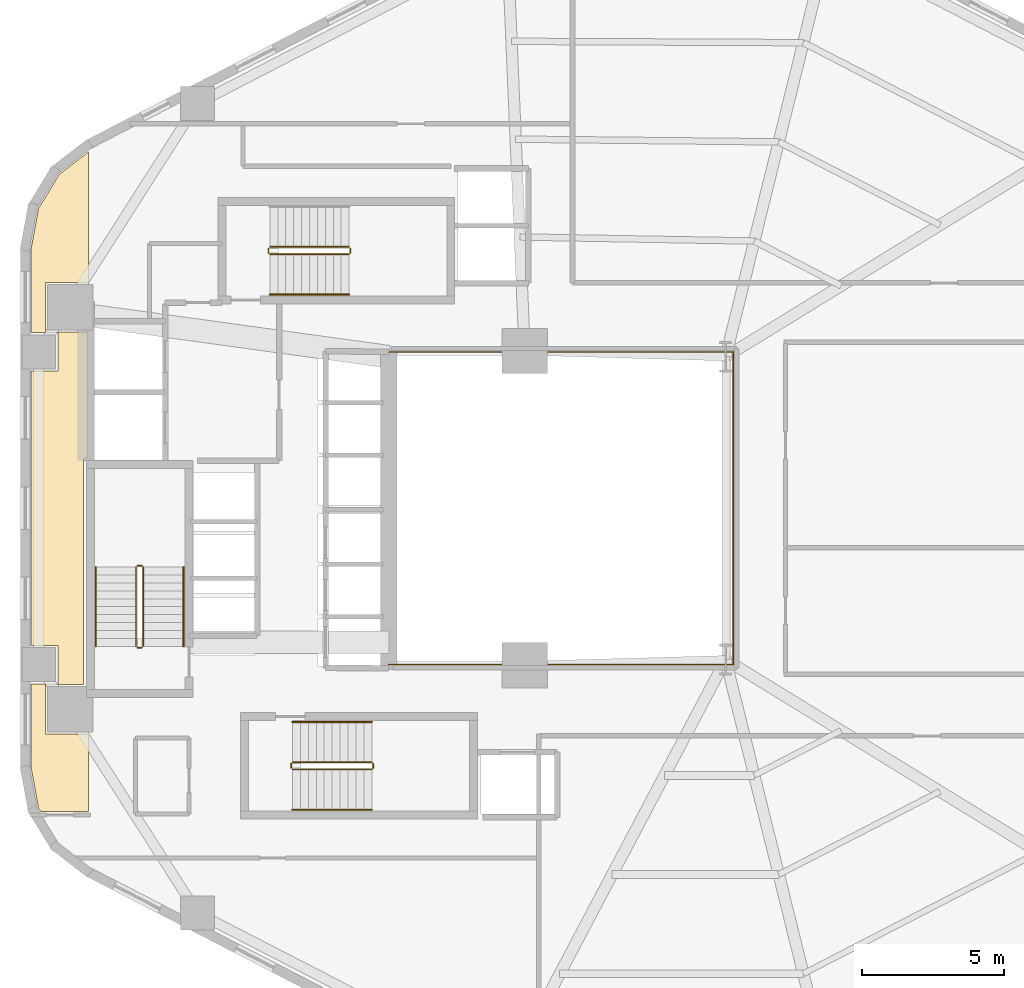
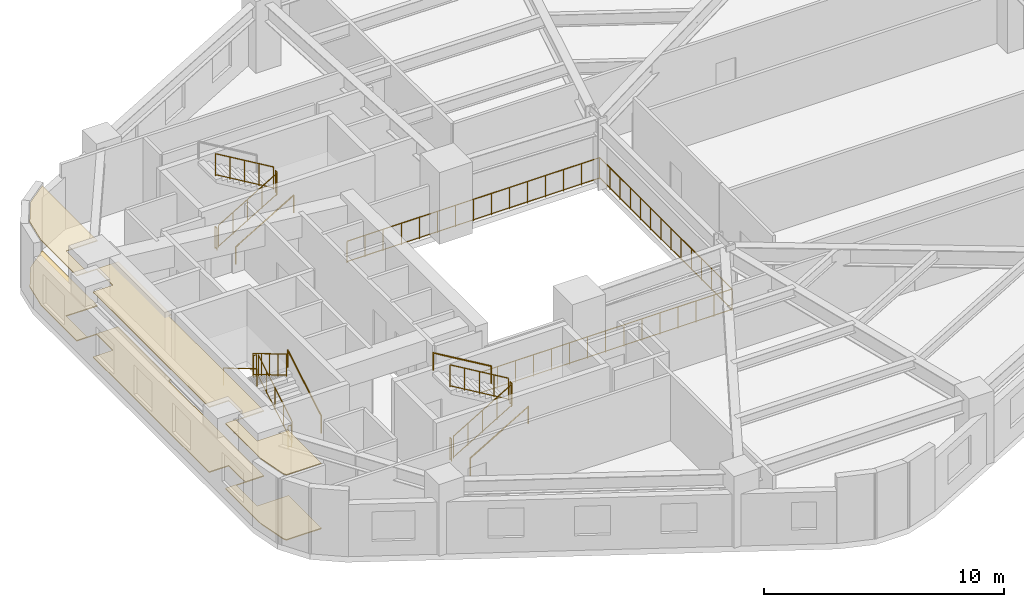
# One storey, part 9 of 10: 18 railings, 2 coverings.
"""IFC4 building model written with IfcOpenShell, lengths in metres."""

from ifc_helpers import new_model, si_unit, direction, frame, origin, origin_2d, place, context, subcontext, project, spatial, polyline, circle, outline, extrude, material, layer, layer_set, type_object, element, save


model = new_model("IFC4")

# Units and contexts
model_context = context("Model", 3, precision=1e-05, world=origin(), true_north=direction((0.0, 1.0)))
body_context = subcontext(model_context, "Body", "Model", "MODEL_VIEW")
ifc_project = project(units=[si_unit("LENGTHUNIT", "METRE"), si_unit("AREAUNIT", "SQUARE_METRE"), si_unit("VOLUMEUNIT", "CUBIC_METRE"), si_unit("PLANEANGLEUNIT", "RADIAN"), si_unit("MASSUNIT", "GRAM", prefix="KILO"), si_unit("THERMODYNAMICTEMPERATUREUNIT", "KELVIN"), si_unit("POWERUNIT", "WATT")], contexts=[model_context])

# Site, building, storey
site_placement = place(None, origin())
site = spatial("IfcSite", under=ifc_project, at=site_placement, CompositionType="ELEMENT")
building_placement = place(site_placement, origin())
building = spatial("IfcBuilding", under=site, at=building_placement, Name="Skarre Station Tower", CompositionType="ELEMENT")
storey_placement = place(building_placement, frame((0.0, 0.0, 56.199951171875)))
storey = spatial("IfcBuildingStorey", under=building, at=storey_placement, Name="L14", CompositionType="ELEMENT", Elevation=56.199951171875)

# Railing
ifc_material_1 = material(Name="Bronze Anodized Steel & Laminated Glass Balustrade", Category="steel")
railing_type_1 = type_object("IfcRailingType", Name="Atrium Void & Mezzanine Guard Balustrade 1120", PredefinedType="GUARDRAIL", material=ifc_material_1)
railing_1_placement = place(storey_placement, frame((27.550048828125, 18.47998046875, 0.0)))
element("IfcRailing", 1, at=railing_1_placement, inside=storey, type_object=railing_type_1, Name="L14 Atrium Void Guard Balustrade", PredefinedType="GUARDRAIL", context=body_context, shape_type="SweptSolid", body=[
    extrude(circle(Radius=0.02392578125, at=origin_2d()), frame((0.0, 0.0, 1.09619140625), z_axis=(1.0, 0.0, 0.0), x_axis=(0.0, 1.0, 0.0)), (0.0, 0.0, 1.0), 12.169921875),
    extrude(circle(Radius=0.02099609375, at=origin_2d()), frame((0.0, 0.0, 0.06005859375), z_axis=(1.0, 0.0, 0.0), x_axis=(0.0, 1.0, 0.0)), (0.0, 0.0, 1.0), 12.169921875),
    extrude(circle(Radius=0.02392578125, at=origin_2d()), frame((12.169921875, 0.0, 1.09619140625), z_axis=(0.0, 1.0, 0.0), x_axis=(-1.0, 0.0, 0.0)), (0.0, 0.0, 1.0), 11.0400390625),
    extrude(circle(Radius=0.02099609375, at=origin_2d()), frame((12.169921875, 0.0, 0.06005859375), z_axis=(0.0, 1.0, 0.0), x_axis=(-1.0, 0.0, 0.0)), (0.0, 0.0, 1.0), 11.0400390625),
    extrude(circle(Radius=0.02392578125, at=origin_2d()), frame((12.169921875, 11.0400390625, 1.09619140625), z_axis=(-1.0, 0.0, 0.0), x_axis=(0.0, -1.0, 0.0)), (0.0, 0.0, 1.0), 12.169921875),
    extrude(circle(Radius=0.02099609375, at=origin_2d()), frame((12.169921875, 11.0400390625, 0.06005859375), z_axis=(-1.0, 0.0, 0.0), x_axis=(0.0, -1.0, 0.0)), (0.0, 0.0, 1.0), 12.169921875),
    extrude(circle(Radius=0.02099609375, at=origin_2d()), origin(), (0.0, 0.0, 1.0), 1.072021484375),
    extrude(circle(Radius=0.02099609375, at=origin_2d()), frame((0.869384765625, 0.0, 0.0)), (0.0, 0.0, 1.0), 1.072021484375),
    extrude(circle(Radius=0.02099609375, at=origin_2d()), frame((1.738525390625, 0.0, 0.0)), (0.0, 0.0, 1.0), 1.072021484375),
    extrude(circle(Radius=0.02099609375, at=origin_2d()), frame((2.60791015625, 0.0, 0.0)), (0.0, 0.0, 1.0), 1.072021484375),
    extrude(circle(Radius=0.02099609375, at=origin_2d()), frame((3.47705078125, 0.0, 0.0)), (0.0, 0.0, 1.0), 1.072021484375),
    extrude(circle(Radius=0.02099609375, at=origin_2d()), frame((4.346435546875, 0.0, 0.0)), (0.0, 0.0, 1.0), 1.072021484375),
    extrude(circle(Radius=0.02099609375, at=origin_2d()), frame((5.215576171875, 0.0, 0.0)), (0.0, 0.0, 1.0), 1.072021484375),
    extrude(circle(Radius=0.02099609375, at=origin_2d()), frame((6.0849609375, 0.0, 0.0)), (0.0, 0.0, 1.0), 1.072021484375),
    extrude(circle(Radius=0.02099609375, at=origin_2d()), frame((6.954345703125, 0.0, 0.0)), (0.0, 0.0, 1.0), 1.072021484375),
    extrude(circle(Radius=0.02099609375, at=origin_2d()), frame((7.823486328125, 0.0, 0.0)), (0.0, 0.0, 1.0), 1.072021484375),
    extrude(circle(Radius=0.02099609375, at=origin_2d()), frame((8.69287109375, 0.0, 0.0)), (0.0, 0.0, 1.0), 1.072021484375),
    extrude(circle(Radius=0.02099609375, at=origin_2d()), frame((9.56201171875, 0.0, 0.0)), (0.0, 0.0, 1.0), 1.072021484375),
    extrude(circle(Radius=0.02099609375, at=origin_2d()), frame((10.431396484375, 0.0, 0.0)), (0.0, 0.0, 1.0), 1.072021484375),
    extrude(circle(Radius=0.02099609375, at=origin_2d()), frame((11.300537109375, 0.0, 0.0)), (0.0, 0.0, 1.0), 1.072021484375),
    extrude(circle(Radius=0.02099609375, at=origin_2d()), frame((12.169921875, 0.0, 0.0)), (0.0, 0.0, 1.0), 1.072021484375),
    extrude(circle(Radius=0.02099609375, at=origin_2d()), frame((12.169921875, 0.84912109375, 0.0)), (0.0, 0.0, 1.0), 1.072021484375),
    extrude(circle(Radius=0.02099609375, at=origin_2d()), frame((12.169921875, 1.698486328125, 0.0)), (0.0, 0.0, 1.0), 1.072021484375),
    extrude(circle(Radius=0.02099609375, at=origin_2d()), frame((12.169921875, 2.547607421875, 0.0)), (0.0, 0.0, 1.0), 1.072021484375),
    extrude(circle(Radius=0.02099609375, at=origin_2d()), frame((12.169921875, 3.39697265625, 0.0)), (0.0, 0.0, 1.0), 1.072021484375),
    extrude(circle(Radius=0.02099609375, at=origin_2d()), frame((12.169921875, 4.24609375, 0.0)), (0.0, 0.0, 1.0), 1.072021484375),
    extrude(circle(Radius=0.02099609375, at=origin_2d()), frame((12.169921875, 5.095458984375, 0.0)), (0.0, 0.0, 1.0), 1.072021484375),
    extrude(circle(Radius=0.02099609375, at=origin_2d()), frame((12.169921875, 5.944580078125, 0.0)), (0.0, 0.0, 1.0), 1.072021484375),
    extrude(circle(Radius=0.02099609375, at=origin_2d()), frame((12.169921875, 6.7939453125, 0.0)), (0.0, 0.0, 1.0), 1.072021484375),
    extrude(circle(Radius=0.02099609375, at=origin_2d()), frame((12.169921875, 7.64306640625, 0.0)), (0.0, 0.0, 1.0), 1.072021484375),
    extrude(circle(Radius=0.02099609375, at=origin_2d()), frame((12.169921875, 8.492431640625, 0.0)), (0.0, 0.0, 1.0), 1.072021484375),
    extrude(circle(Radius=0.02099609375, at=origin_2d()), frame((12.169921875, 9.341552734375, 0.0)), (0.0, 0.0, 1.0), 1.072021484375),
    extrude(circle(Radius=0.02099609375, at=origin_2d()), frame((12.169921875, 10.19091796875, 0.0)), (0.0, 0.0, 1.0), 1.072021484375),
    extrude(circle(Radius=0.02099609375, at=origin_2d()), frame((12.169921875, 11.0400390625, 0.0)), (0.0, 0.0, 1.0), 1.072021484375),
    extrude(circle(Radius=0.02099609375, at=origin_2d()), frame((11.300537109375, 11.0400390625, 0.0)), (0.0, 0.0, 1.0), 1.072021484375),
    extrude(circle(Radius=0.02099609375, at=origin_2d()), frame((10.431396484375, 11.0400390625, 0.0)), (0.0, 0.0, 1.0), 1.072021484375),
    extrude(circle(Radius=0.02099609375, at=origin_2d()), frame((9.56201171875, 11.0400390625, 0.0)), (0.0, 0.0, 1.0), 1.072021484375),
    extrude(circle(Radius=0.02099609375, at=origin_2d()), frame((8.69287109375, 11.0400390625, 0.0)), (0.0, 0.0, 1.0), 1.072021484375),
    extrude(circle(Radius=0.02099609375, at=origin_2d()), frame((7.823486328125, 11.0400390625, 0.0)), (0.0, 0.0, 1.0), 1.072021484375),
    extrude(circle(Radius=0.02099609375, at=origin_2d()), frame((6.954345703125, 11.0400390625, 0.0)), (0.0, 0.0, 1.0), 1.072021484375),
    extrude(circle(Radius=0.02099609375, at=origin_2d()), frame((6.0849609375, 11.0400390625, 0.0)), (0.0, 0.0, 1.0), 1.072021484375),
    extrude(circle(Radius=0.02099609375, at=origin_2d()), frame((5.215576171875, 11.0400390625, 0.0)), (0.0, 0.0, 1.0), 1.072021484375),
    extrude(circle(Radius=0.02099609375, at=origin_2d()), frame((4.346435546875, 11.0400390625, 0.0)), (0.0, 0.0, 1.0), 1.072021484375),
    extrude(circle(Radius=0.02099609375, at=origin_2d()), frame((3.47705078125, 11.0400390625, 0.0)), (0.0, 0.0, 1.0), 1.072021484375),
    extrude(circle(Radius=0.02099609375, at=origin_2d()), frame((2.60791015625, 11.0400390625, 0.0)), (0.0, 0.0, 1.0), 1.072021484375),
    extrude(circle(Radius=0.02099609375, at=origin_2d()), frame((1.738525390625, 11.0400390625, 0.0)), (0.0, 0.0, 1.0), 1.072021484375),
    extrude(circle(Radius=0.02099609375, at=origin_2d()), frame((0.869384765625, 11.0400390625, 0.0)), (0.0, 0.0, 1.0), 1.072021484375),
    extrude(circle(Radius=0.02099609375, at=origin_2d()), frame((0.0, 11.0400390625, 0.0)), (0.0, 0.0, 1.0), 1.072021484375),
])

# Coverings
ifc_material_2 = material(Name="Honed Jura Limestone & Calcium-Sulfate Access Tile", Category="masonry")
ifc_layer_1 = layer(ifc_material_2, 0.050048828125, Name="Honed Jura Limestone & Calcium-Sulfate Access Tile")
ifc_layer_set_1 = layer_set([ifc_layer_1], Name="Honed Jura Limestone & Calcium-Sulfate Access Tile")
covering_type_1 = type_object("IfcCoveringType", Name="Honed Limestone & Raised Access Floor Finish 50", PredefinedType="FLOORING", material=ifc_layer_set_1)
covering_1_placement = place(storey_placement, origin())
element("IfcCovering", 2, at=covering_1_placement, inside=storey, type_object=covering_type_1, Name="L14 Limestone Access Flooring 1", PredefinedType="FLOORING", context=body_context, shape_type="SweptSolid", body=[
    extrude(outline(polyline([(16.93994140625, 36.583984375), (15.910888671875, 35.787109375), (15.178955078125, 34.5859375), (14.9169921875, 33.1669921875), (14.9169921875, 30.200927734375), (15.866943359375, 30.200927734375), (15.866943359375, 28.841064453125), (14.9169921875, 28.841064453125), (14.9169921875, 19.158935546875), (15.866943359375, 19.158935546875), (15.866943359375, 17.799072265625), (14.9169921875, 17.799072265625), (14.9169921875, 14.8330078125), (15.178955078125, 13.4140625), (15.260986328125, 13.280029296875), (16.93994140625, 13.280029296875), (16.93994140625, 16.02001953125), (15.419921875, 16.02001953125), (15.419921875, 17.780029296875), (16.77001953125, 17.780029296875), (16.77001953125, 25.699951171875), (16.77001953125, 25.7080078125), (16.77197265625, 25.716064453125), (16.77294921875, 25.722900390625), (16.77587890625, 25.73095703125), (16.779052734375, 25.738037109375), (16.782958984375, 25.743896484375), (16.7880859375, 25.7509765625), (16.79296875, 25.757080078125), (16.799072265625, 25.761962890625), (16.805908203125, 25.76708984375), (16.81201171875, 25.77099609375), (16.819091796875, 25.77392578125), (16.826904296875, 25.777099609375), (16.833984375, 25.778076171875), (16.842041015625, 25.780029296875), (16.85009765625, 25.780029296875), (16.919921875, 25.780029296875), (16.919921875, 30.219970703125), (15.419921875, 30.219970703125), (15.419921875, 31.97998046875), (16.93994140625, 31.97998046875), (16.93994140625, 36.583984375)])), origin(), (0.0, 0.0, 1.0), 0.050048828125),
])
ifc_material_3 = material(Name="Perforated Nordic Birch Veneer & Mineral Wool", Category="wood")
ifc_layer_2 = layer(ifc_material_3, 0.044921875, Name="Perforated Nordic Birch Veneer & Mineral Wool")
ifc_layer_set_2 = layer_set([ifc_layer_2], Name="Perforated Nordic Birch Veneer & Mineral Wool")
covering_type_2 = type_object("IfcCoveringType", Name="Nordic Birch Slatted Acoustic Suspended Ceiling 45", PredefinedType="CEILING", material=ifc_layer_set_2)
covering_2_placement = place(storey_placement, frame((0.0, 0.0, 3.31494140625)))
element("IfcCovering", 3, at=covering_2_placement, inside=storey, type_object=covering_type_2, Name="L14 Acoustic Birch Ceiling 1", PredefinedType="CEILING", context=body_context, shape_type="SweptSolid", body=[
    extrude(outline(polyline([(16.93994140625, 36.583984375), (15.910888671875, 35.787109375), (15.178955078125, 34.5859375), (14.9169921875, 33.1669921875), (14.9169921875, 30.200927734375), (15.866943359375, 30.200927734375), (15.866943359375, 28.841064453125), (14.9169921875, 28.841064453125), (14.9169921875, 19.158935546875), (15.866943359375, 19.158935546875), (15.866943359375, 17.799072265625), (14.9169921875, 17.799072265625), (14.9169921875, 14.8330078125), (15.178955078125, 13.4140625), (15.260986328125, 13.280029296875), (16.93994140625, 13.280029296875), (16.93994140625, 16.02001953125), (15.419921875, 16.02001953125), (15.419921875, 17.780029296875), (16.77001953125, 17.780029296875), (16.77001953125, 25.699951171875), (16.77001953125, 25.7080078125), (16.77197265625, 25.716064453125), (16.77294921875, 25.722900390625), (16.77587890625, 25.73095703125), (16.779052734375, 25.738037109375), (16.782958984375, 25.743896484375), (16.7880859375, 25.7509765625), (16.79296875, 25.757080078125), (16.799072265625, 25.761962890625), (16.805908203125, 25.76708984375), (16.81201171875, 25.77099609375), (16.819091796875, 25.77392578125), (16.826904296875, 25.777099609375), (16.833984375, 25.778076171875), (16.842041015625, 25.780029296875), (16.85009765625, 25.780029296875), (16.919921875, 25.780029296875), (16.919921875, 30.219970703125), (15.419921875, 30.219970703125), (15.419921875, 31.97998046875), (16.93994140625, 31.97998046875), (16.93994140625, 36.583984375)])), origin(), (0.0, 0.0, 1.0), 0.045166015625),
])

# Railings
ifc_material_4 = material(Name="Powder-Coated Tubular Steel", Category="steel")
railing_type_2 = type_object("IfcRailingType", Name="Painted Steel Ramp & Stair Handrail 920", PredefinedType="HANDRAIL", material=ifc_material_4)
railing_2_placement = place(storey_placement, frame((20.300048828125, 19.1201171875, 0.166015625)))
element("IfcRailing", 4, at=railing_2_placement, inside=storey, type_object=railing_type_2, Name="L14 ST-1 stair handrail 1", PredefinedType="HANDRAIL", context=body_context, shape_type="SweptSolid", body=[
    extrude(circle(Radius=0.02392578125, at=origin_2d()), frame((0.0, 0.0, 0.8759765625), z_axis=(0.0, 0.860319559791, 0.509755093197), x_axis=(-1.0, 0.0, 0.0)), (0.0, 0.0, 1.0), 3.25439453125),
    extrude(circle(Radius=0.02099609375, at=origin_2d()), origin(), (0.0, 0.0, 1.0), 0.851806640625),
    extrude(circle(Radius=0.02099609375, at=origin_2d()), frame((0.0, 2.7998046875, 1.658935546875)), (0.0, 0.0, 1.0), 0.851806640625),
])
railing_3_placement = place(storey_placement, frame((17.199951171875, 21.919921875, 1.990966796875)))
element("IfcRailing", 5, at=railing_3_placement, inside=storey, type_object=railing_type_2, Name="L14 ST-1 stair handrail 2", PredefinedType="HANDRAIL", context=body_context, shape_type="SweptSolid", body=[
    extrude(circle(Radius=0.02392578125, at=origin_2d()), frame((0.0, 0.0, 0.8759765625), z_axis=(0.0, -0.860286659441, 0.509810615413), x_axis=(1.0, 0.0, 0.0)), (0.0, 0.0, 1.0), 3.25439453125),
    extrude(circle(Radius=0.02099609375, at=origin_2d()), origin(), (0.0, 0.0, 1.0), 0.851806640625),
    extrude(circle(Radius=0.02099609375, at=origin_2d()), frame((0.0, -2.7998046875, 1.6591796875)), (0.0, 0.0, 1.0), 0.851806640625),
])
railing_4_placement = place(storey_placement, frame((24.14990234375, 13.35009765625, 0.166015625)))
element("IfcRailing", 6, at=railing_4_placement, inside=storey, type_object=railing_type_2, Name="L14 ST-2 stair handrail 1", PredefinedType="HANDRAIL", context=body_context, shape_type="SweptSolid", body=[
    extrude(circle(Radius=0.02392578125, at=origin_2d()), frame((0.0, 0.0, 0.8759765625), z_axis=(0.860339051648, 0.0, 0.50972219513), x_axis=(0.0, 1.0, 0.0)), (0.0, 0.0, 1.0), 3.254638671875),
    extrude(circle(Radius=0.02099609375, at=origin_2d()), origin(), (0.0, 0.0, 1.0), 0.851806640625),
    extrude(circle(Radius=0.02099609375, at=origin_2d()), frame((2.800048828125, 0.0, 1.658935546875)), (0.0, 0.0, 1.0), 0.851806640625),
])
railing_5_placement = place(storey_placement, frame((26.949951171875, 16.449951171875, 1.990966796875)))
element("IfcRailing", 7, at=railing_5_placement, inside=storey, type_object=railing_type_2, Name="L14 ST-2 stair handrail 2", PredefinedType="HANDRAIL", context=body_context, shape_type="SweptSolid", body=[
    extrude(circle(Radius=0.02392578125, at=origin_2d()), frame((0.0, 0.0, 0.8759765625), z_axis=(-0.860306154799, 0.0, 0.50977771628), x_axis=(0.0, -1.0, 0.0)), (0.0, 0.0, 1.0), 3.254638671875),
    extrude(circle(Radius=0.02099609375, at=origin_2d()), origin(), (0.0, 0.0, 1.0), 0.851806640625),
    extrude(circle(Radius=0.02099609375, at=origin_2d()), frame((-2.800048828125, 0.0, 1.6591796875)), (0.0, 0.0, 1.0), 0.851806640625),
])
railing_6_placement = place(storey_placement, frame((23.35009765625, 31.550048828125, 0.166015625)))
element("IfcRailing", 8, at=railing_6_placement, inside=storey, type_object=railing_type_2, Name="L14 ST-3 stair handrail 1", PredefinedType="HANDRAIL", context=body_context, shape_type="SweptSolid", body=[
    extrude(circle(Radius=0.02392578125, at=origin_2d()), frame((0.0, 0.0, 0.8759765625), z_axis=(0.860319559791, 0.0, 0.509755093197), x_axis=(0.0, 1.0, 0.0)), (0.0, 0.0, 1.0), 3.25439453125),
    extrude(circle(Radius=0.02099609375, at=origin_2d()), origin(), (0.0, 0.0, 1.0), 0.851806640625),
    extrude(circle(Radius=0.02099609375, at=origin_2d()), frame((2.7998046875, 0.0, 1.658935546875)), (0.0, 0.0, 1.0), 0.851806640625),
])
railing_type_3 = type_object("IfcRailingType", Name="Painted Steel Stairwell Guardrail 1100", PredefinedType="GUARDRAIL", material=ifc_material_4)
railing_7_placement = place(storey_placement, frame((18.8798828125, 19.1201171875, 0.166015625)))
element("IfcRailing", 9, at=railing_7_placement, inside=storey, type_object=railing_type_3, Name="L14 ST-1 stair guard 1", PredefinedType="GUARDRAIL", context=body_context, shape_type="SweptSolid", body=[
    extrude(circle(Radius=0.02392578125, at=origin_2d()), frame((0.0, 0.0, 1.1259765625), z_axis=(0.0, 0.860319559791, 0.509755093197), x_axis=(-1.0, 0.0, 0.0)), (0.0, 0.0, 1.0), 3.25439453125),
    extrude(circle(Radius=0.02099609375, at=origin_2d()), frame((0.0, 0.0, 0.06005859375), z_axis=(0.0, 0.860319559791, 0.509755093197), x_axis=(-1.0, 0.0, 0.0)), (0.0, 0.0, 1.0), 3.25439453125),
    extrude(circle(Radius=0.02099609375, at=origin_2d()), origin(), (0.0, 0.0, 1.0), 1.101806640625),
    extrude(circle(Radius=0.02099609375, at=origin_2d()), frame((0.0, 0.699951171875, 0.414794921875)), (0.0, 0.0, 1.0), 1.101806640625),
    extrude(circle(Radius=0.02099609375, at=origin_2d()), frame((0.0, 1.39990234375, 0.82958984375)), (0.0, 0.0, 1.0), 1.101806640625),
    extrude(circle(Radius=0.02099609375, at=origin_2d()), frame((0.0, 2.099853515625, 1.244140625)), (0.0, 0.0, 1.0), 1.101806640625),
    extrude(circle(Radius=0.02099609375, at=origin_2d()), frame((0.0, 2.7998046875, 1.658935546875)), (0.0, 0.0, 1.0), 1.101806640625),
])
railing_8_placement = place(storey_placement, frame((18.830078125, 21.969970703125, 1.824951171875)))
element("IfcRailing", 10, at=railing_8_placement, inside=storey, type_object=railing_type_3, Name="L14 ST-1 stair guard 2", PredefinedType="GUARDRAIL", context=body_context, shape_type="SweptSolid", body=[
    extrude(circle(Radius=0.02392578125, at=origin_2d()), frame((0.0, 0.0, 1.1259765625), z_axis=(-1.0, 0.0, 0.0), x_axis=(0.0, -1.0, 0.0)), (0.0, 0.0, 1.0), 0.16015625),
    extrude(circle(Radius=0.02099609375, at=origin_2d()), frame((0.0, 0.0, 0.06005859375), z_axis=(-1.0, 0.0, 0.0), x_axis=(0.0, -1.0, 0.0)), (0.0, 0.0, 1.0), 0.16015625),
    extrude(circle(Radius=0.02099609375, at=origin_2d()), origin(), (0.0, 0.0, 1.0), 1.101806640625),
    extrude(circle(Radius=0.02099609375, at=origin_2d()), frame((-0.16015625, 0.0, 0.0)), (0.0, 0.0, 1.0), 1.101806640625),
])
railing_9_placement = place(storey_placement, frame((18.6201171875, 21.919921875, 1.990966796875)))
element("IfcRailing", 11, at=railing_9_placement, inside=storey, type_object=railing_type_3, Name="L14 ST-1 stair guard 3", PredefinedType="GUARDRAIL", context=body_context, shape_type="SweptSolid", body=[
    extrude(circle(Radius=0.02392578125, at=origin_2d()), frame((0.0, 0.0, 1.1259765625), z_axis=(0.0, -0.860286659441, 0.509810615413), x_axis=(1.0, 0.0, 0.0)), (0.0, 0.0, 1.0), 3.25439453125),
    extrude(circle(Radius=0.02099609375, at=origin_2d()), frame((0.0, 0.0, 0.06005859375), z_axis=(0.0, -0.860286659441, 0.509810615413), x_axis=(1.0, 0.0, 0.0)), (0.0, 0.0, 1.0), 3.25439453125),
    extrude(circle(Radius=0.02099609375, at=origin_2d()), origin(), (0.0, 0.0, 1.0), 1.101806640625),
    extrude(circle(Radius=0.02099609375, at=origin_2d()), frame((0.0, -0.699951171875, 0.414794921875)), (0.0, 0.0, 1.0), 1.101806640625),
    extrude(circle(Radius=0.02099609375, at=origin_2d()), frame((0.0, -1.39990234375, 0.82958984375)), (0.0, 0.0, 1.0), 1.101806640625),
    extrude(circle(Radius=0.02099609375, at=origin_2d()), frame((0.0, -2.099853515625, 1.244384765625)), (0.0, 0.0, 1.0), 1.101806640625),
    extrude(circle(Radius=0.02099609375, at=origin_2d()), frame((0.0, -2.7998046875, 1.6591796875)), (0.0, 0.0, 1.0), 1.101806640625),
])
railing_10_placement = place(storey_placement, frame((18.830078125, 19.070068359375, 0.0)))
element("IfcRailing", 12, at=railing_10_placement, inside=storey, type_object=railing_type_3, Name="L14 ST-1 stair guard 4", PredefinedType="GUARDRAIL", context=body_context, shape_type="SweptSolid", body=[
    extrude(circle(Radius=0.02392578125, at=origin_2d()), frame((0.0, 0.0, 1.1259765625), z_axis=(-1.0, 0.0, 0.0), x_axis=(0.0, -1.0, 0.0)), (0.0, 0.0, 1.0), 0.16015625),
    extrude(circle(Radius=0.02099609375, at=origin_2d()), frame((0.0, 0.0, 0.06005859375), z_axis=(-1.0, 0.0, 0.0), x_axis=(0.0, -1.0, 0.0)), (0.0, 0.0, 1.0), 0.16015625),
    extrude(circle(Radius=0.02099609375, at=origin_2d()), origin(), (0.0, 0.0, 1.0), 1.101806640625),
    extrude(circle(Radius=0.02099609375, at=origin_2d()), frame((-0.16015625, 0.0, 0.0)), (0.0, 0.0, 1.0), 1.101806640625),
])
railing_11_placement = place(storey_placement, frame((24.14990234375, 14.77001953125, 0.166015625)))
element("IfcRailing", 13, at=railing_11_placement, inside=storey, type_object=railing_type_3, Name="L14 ST-2 stair guard 1", PredefinedType="GUARDRAIL", context=body_context, shape_type="SweptSolid", body=[
    extrude(circle(Radius=0.02392578125, at=origin_2d()), frame((0.0, 0.0, 1.1259765625), z_axis=(0.860339051648, 0.0, 0.50972219513), x_axis=(0.0, 1.0, 0.0)), (0.0, 0.0, 1.0), 3.254638671875),
    extrude(circle(Radius=0.02099609375, at=origin_2d()), frame((0.0, 0.0, 0.06005859375), z_axis=(0.860339051648, 0.0, 0.50972219513), x_axis=(0.0, 1.0, 0.0)), (0.0, 0.0, 1.0), 3.254638671875),
    extrude(circle(Radius=0.02099609375, at=origin_2d()), origin(), (0.0, 0.0, 1.0), 1.101806640625),
    extrude(circle(Radius=0.02099609375, at=origin_2d()), frame((0.699951171875, 0.0, 0.414794921875)), (0.0, 0.0, 1.0), 1.101806640625),
    extrude(circle(Radius=0.02099609375, at=origin_2d()), frame((1.39990234375, 0.0, 0.82958984375)), (0.0, 0.0, 1.0), 1.101806640625),
    extrude(circle(Radius=0.02099609375, at=origin_2d()), frame((2.10009765625, 0.0, 1.244140625)), (0.0, 0.0, 1.0), 1.101806640625),
    extrude(circle(Radius=0.02099609375, at=origin_2d()), frame((2.800048828125, 0.0, 1.658935546875)), (0.0, 0.0, 1.0), 1.101806640625),
])
railing_12_placement = place(storey_placement, frame((27.0, 14.820068359375, 1.824951171875)))
element("IfcRailing", 14, at=railing_12_placement, inside=storey, type_object=railing_type_3, Name="L14 ST-2 stair guard 2", PredefinedType="GUARDRAIL", context=body_context, shape_type="SweptSolid", body=[
    extrude(circle(Radius=0.02392578125, at=origin_2d()), frame((0.0, 0.0, 1.1259765625), z_axis=(0.0, 1.0, 0.0), x_axis=(-1.0, 0.0, 0.0)), (0.0, 0.0, 1.0), 0.159912109375),
    extrude(circle(Radius=0.02099609375, at=origin_2d()), frame((0.0, 0.0, 0.06005859375), z_axis=(0.0, 1.0, 0.0), x_axis=(-1.0, 0.0, 0.0)), (0.0, 0.0, 1.0), 0.159912109375),
    extrude(circle(Radius=0.02099609375, at=origin_2d()), origin(), (0.0, 0.0, 1.0), 1.101806640625),
    extrude(circle(Radius=0.02099609375, at=origin_2d()), frame((0.0, 0.159912109375, 0.0)), (0.0, 0.0, 1.0), 1.101806640625),
])
railing_13_placement = place(storey_placement, frame((26.949951171875, 15.030029296875, 1.990966796875)))
element("IfcRailing", 15, at=railing_13_placement, inside=storey, type_object=railing_type_3, Name="L14 ST-2 stair guard 3", PredefinedType="GUARDRAIL", context=body_context, shape_type="SweptSolid", body=[
    extrude(circle(Radius=0.02392578125, at=origin_2d()), frame((0.0, 0.0, 1.1259765625), z_axis=(-0.860306154799, 0.0, 0.50977771628), x_axis=(0.0, -1.0, 0.0)), (0.0, 0.0, 1.0), 3.254638671875),
    extrude(circle(Radius=0.02099609375, at=origin_2d()), frame((0.0, 0.0, 0.06005859375), z_axis=(-0.860306154799, 0.0, 0.50977771628), x_axis=(0.0, -1.0, 0.0)), (0.0, 0.0, 1.0), 3.254638671875),
    extrude(circle(Radius=0.02099609375, at=origin_2d()), origin(), (0.0, 0.0, 1.0), 1.101806640625),
    extrude(circle(Radius=0.02099609375, at=origin_2d()), frame((-0.699951171875, 0.0, 0.414794921875)), (0.0, 0.0, 1.0), 1.101806640625),
    extrude(circle(Radius=0.02099609375, at=origin_2d()), frame((-1.39990234375, 0.0, 0.82958984375)), (0.0, 0.0, 1.0), 1.101806640625),
    extrude(circle(Radius=0.02099609375, at=origin_2d()), frame((-2.10009765625, 0.0, 1.244384765625)), (0.0, 0.0, 1.0), 1.101806640625),
    extrude(circle(Radius=0.02099609375, at=origin_2d()), frame((-2.800048828125, 0.0, 1.6591796875)), (0.0, 0.0, 1.0), 1.101806640625),
])
railing_14_placement = place(storey_placement, frame((24.10009765625, 14.820068359375, 0.0)))
element("IfcRailing", 16, at=railing_14_placement, inside=storey, type_object=railing_type_3, Name="L14 ST-2 stair guard 4", PredefinedType="GUARDRAIL", context=body_context, shape_type="SweptSolid", body=[
    extrude(circle(Radius=0.02392578125, at=origin_2d()), frame((0.0, 0.0, 1.1259765625), z_axis=(0.0, 1.0, 0.0), x_axis=(-1.0, 0.0, 0.0)), (0.0, 0.0, 1.0), 0.159912109375),
    extrude(circle(Radius=0.02099609375, at=origin_2d()), frame((0.0, 0.0, 0.06005859375), z_axis=(0.0, 1.0, 0.0), x_axis=(-1.0, 0.0, 0.0)), (0.0, 0.0, 1.0), 0.159912109375),
    extrude(circle(Radius=0.02099609375, at=origin_2d()), origin(), (0.0, 0.0, 1.0), 1.101806640625),
    extrude(circle(Radius=0.02099609375, at=origin_2d()), frame((0.0, 0.159912109375, 0.0)), (0.0, 0.0, 1.0), 1.101806640625),
])
railing_15_placement = place(storey_placement, frame((23.35009765625, 32.969970703125, 0.166015625)))
element("IfcRailing", 17, at=railing_15_placement, inside=storey, type_object=railing_type_3, Name="L14 ST-3 stair guard 1", PredefinedType="GUARDRAIL", context=body_context, shape_type="SweptSolid", body=[
    extrude(circle(Radius=0.02392578125, at=origin_2d()), frame((0.0, 0.0, 1.1259765625), z_axis=(0.860319559791, 0.0, 0.509755093197), x_axis=(0.0, 1.0, 0.0)), (0.0, 0.0, 1.0), 3.25439453125),
    extrude(circle(Radius=0.02099609375, at=origin_2d()), frame((0.0, 0.0, 0.06005859375), z_axis=(0.860319559791, 0.0, 0.509755093197), x_axis=(0.0, 1.0, 0.0)), (0.0, 0.0, 1.0), 3.25439453125),
    extrude(circle(Radius=0.02099609375, at=origin_2d()), origin(), (0.0, 0.0, 1.0), 1.101806640625),
    extrude(circle(Radius=0.02099609375, at=origin_2d()), frame((0.699951171875, 0.0, 0.414794921875)), (0.0, 0.0, 1.0), 1.101806640625),
    extrude(circle(Radius=0.02099609375, at=origin_2d()), frame((1.39990234375, 0.0, 0.82958984375)), (0.0, 0.0, 1.0), 1.101806640625),
    extrude(circle(Radius=0.02099609375, at=origin_2d()), frame((2.099853515625, 0.0, 1.244140625)), (0.0, 0.0, 1.0), 1.101806640625),
    extrude(circle(Radius=0.02099609375, at=origin_2d()), frame((2.7998046875, 0.0, 1.658935546875)), (0.0, 0.0, 1.0), 1.101806640625),
])
railing_16_placement = place(storey_placement, frame((26.199951171875, 33.02001953125, 1.824951171875)))
element("IfcRailing", 18, at=railing_16_placement, inside=storey, type_object=railing_type_3, Name="L14 ST-3 stair guard 2", PredefinedType="GUARDRAIL", context=body_context, shape_type="SweptSolid", body=[
    extrude(circle(Radius=0.02392578125, at=origin_2d()), frame((0.0, 0.0, 1.1259765625), z_axis=(0.0, 1.0, 0.0), x_axis=(-1.0, 0.0, 0.0)), (0.0, 0.0, 1.0), 0.159912109375),
    extrude(circle(Radius=0.02099609375, at=origin_2d()), frame((0.0, 0.0, 0.06005859375), z_axis=(0.0, 1.0, 0.0), x_axis=(-1.0, 0.0, 0.0)), (0.0, 0.0, 1.0), 0.159912109375),
    extrude(circle(Radius=0.02099609375, at=origin_2d()), origin(), (0.0, 0.0, 1.0), 1.101806640625),
    extrude(circle(Radius=0.02099609375, at=origin_2d()), frame((0.0, 0.159912109375, 0.0)), (0.0, 0.0, 1.0), 1.101806640625),
])
railing_17_placement = place(storey_placement, frame((26.14990234375, 33.22998046875, 1.990966796875)))
element("IfcRailing", 19, at=railing_17_placement, inside=storey, type_object=railing_type_3, Name="L14 ST-3 stair guard 3", PredefinedType="GUARDRAIL", context=body_context, shape_type="SweptSolid", body=[
    extrude(circle(Radius=0.02392578125, at=origin_2d()), frame((0.0, 0.0, 1.1259765625), z_axis=(-0.860286659441, 0.0, 0.509810615413), x_axis=(0.0, -1.0, 0.0)), (0.0, 0.0, 1.0), 3.25439453125),
    extrude(circle(Radius=0.02099609375, at=origin_2d()), frame((0.0, 0.0, 0.06005859375), z_axis=(-0.860286659441, 0.0, 0.509810615413), x_axis=(0.0, -1.0, 0.0)), (0.0, 0.0, 1.0), 3.25439453125),
    extrude(circle(Radius=0.02099609375, at=origin_2d()), origin(), (0.0, 0.0, 1.0), 1.101806640625),
    extrude(circle(Radius=0.02099609375, at=origin_2d()), frame((-0.699951171875, 0.0, 0.414794921875)), (0.0, 0.0, 1.0), 1.101806640625),
    extrude(circle(Radius=0.02099609375, at=origin_2d()), frame((-1.39990234375, 0.0, 0.82958984375)), (0.0, 0.0, 1.0), 1.101806640625),
    extrude(circle(Radius=0.02099609375, at=origin_2d()), frame((-2.099853515625, 0.0, 1.244384765625)), (0.0, 0.0, 1.0), 1.101806640625),
    extrude(circle(Radius=0.02099609375, at=origin_2d()), frame((-2.7998046875, 0.0, 1.6591796875)), (0.0, 0.0, 1.0), 1.101806640625),
])
railing_18_placement = place(storey_placement, frame((23.300048828125, 33.02001953125, 0.0)))
element("IfcRailing", 20, at=railing_18_placement, inside=storey, type_object=railing_type_3, Name="L14 ST-3 stair guard 4", PredefinedType="GUARDRAIL", context=body_context, shape_type="SweptSolid", body=[
    extrude(circle(Radius=0.02392578125, at=origin_2d()), frame((0.0, 0.0, 1.1259765625), z_axis=(0.0, 1.0, 0.0), x_axis=(-1.0, 0.0, 0.0)), (0.0, 0.0, 1.0), 0.159912109375),
    extrude(circle(Radius=0.02099609375, at=origin_2d()), frame((0.0, 0.0, 0.06005859375), z_axis=(0.0, 1.0, 0.0), x_axis=(-1.0, 0.0, 0.0)), (0.0, 0.0, 1.0), 0.159912109375),
    extrude(circle(Radius=0.02099609375, at=origin_2d()), origin(), (0.0, 0.0, 1.0), 1.101806640625),
    extrude(circle(Radius=0.02099609375, at=origin_2d()), frame((0.0, 0.159912109375, 0.0)), (0.0, 0.0, 1.0), 1.101806640625),
])

save(model, "model.ifc")
